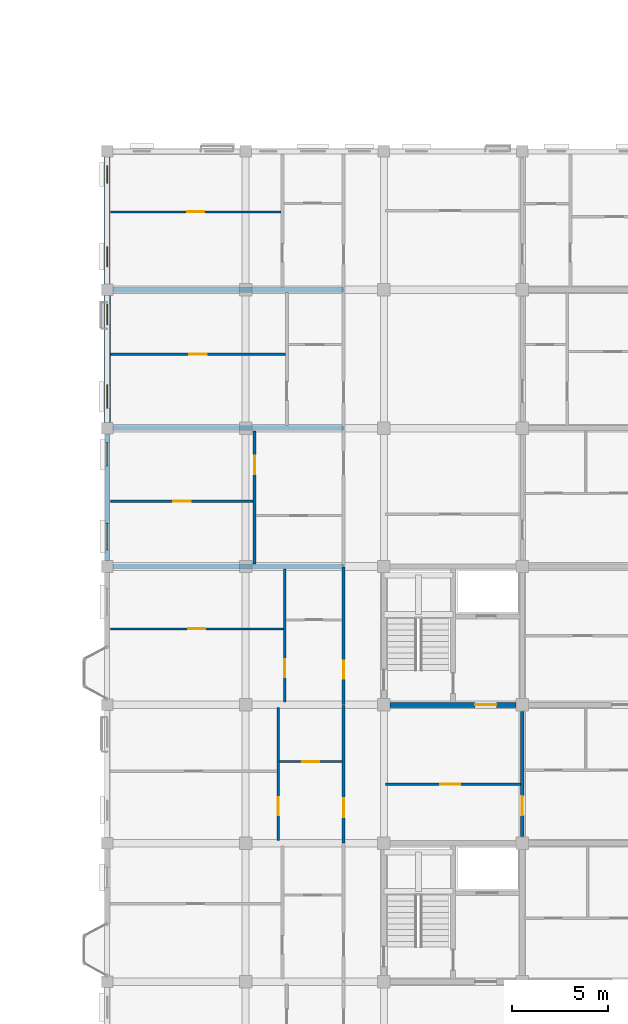
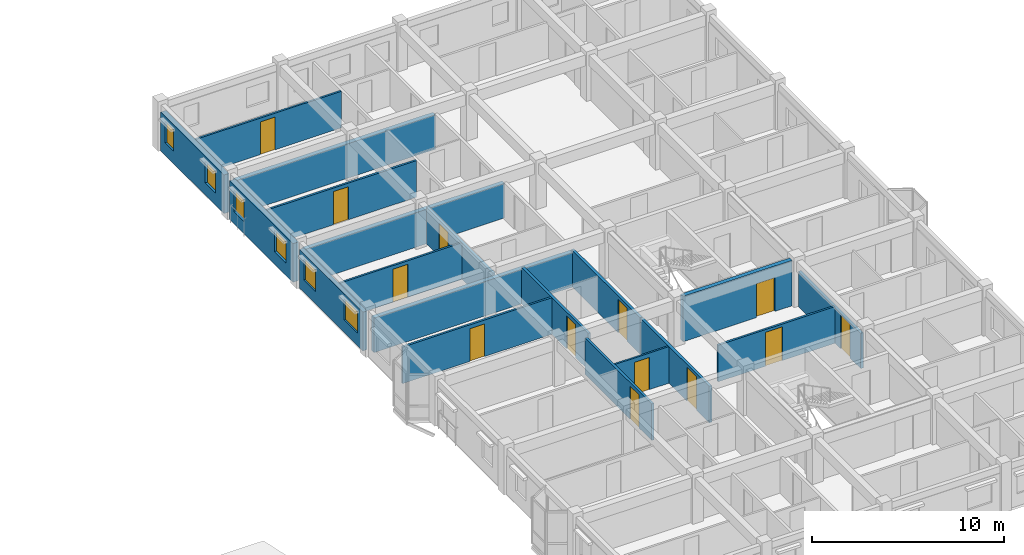
# One storey, part 102 of 124: 19 walls, 13 doors, 6 windows, 19 openings.
"""IFC4 building model written with IfcOpenShell, lengths in metres."""

from ifc_helpers import new_model, si_unit, direction, frame, frame_2d, origin, place, context, subcontext, project, spatial, rectangle, extrude, material, layer, layer_set, type_object, element, fill, save


model = new_model("IFC4")

# Units and contexts
model_context = context("Model", 3, precision=1e-05, world=origin(), true_north=direction((0.0, 1.0)))
body_context = subcontext(model_context, "Body", "Model", "MODEL_VIEW")
ifc_project = project(units=[si_unit("LENGTHUNIT", "METRE"), si_unit("AREAUNIT", "SQUARE_METRE"), si_unit("VOLUMEUNIT", "CUBIC_METRE"), si_unit("PLANEANGLEUNIT", "RADIAN"), si_unit("MASSUNIT", "GRAM", prefix="KILO"), si_unit("THERMODYNAMICTEMPERATUREUNIT", "KELVIN"), si_unit("POWERUNIT", "WATT")], contexts=[model_context])

# Site, building, storey
site_placement = place(None, origin())
site = spatial("IfcSite", under=ifc_project, at=site_placement, CompositionType="ELEMENT")
building_placement = place(site_placement, origin())
building = spatial("IfcBuilding", under=site, at=building_placement, Name="Tavuni Mirador Residences", CompositionType="ELEMENT")
storey_placement = place(building_placement, frame((0.0, 0.0, 7.64990234375)))
storey = spatial("IfcBuildingStorey", under=building, at=storey_placement, Name="L02", CompositionType="ELEMENT", Elevation=7.64990234375)

# Wall, opening, door
ifc_material_1 = material(Name="Precast concrete C40/50", Category="concrete")
ifc_layer_1 = layer(ifc_material_1, 0.25, Name="Precast concrete C40/50", Category="concrete")
ifc_layer_set_1 = layer_set([ifc_layer_1], Name="Precast concrete C40/50")
wall_type_1 = type_object("IfcWallType", Name="WT-COR250", PredefinedType="SHEAR", material=ifc_layer_set_1)
wall_1_placement = place(storey_placement, frame((104.72509765625, 108.0, 0.0), z_axis=(0.0, 0.0, 1.0), x_axis=(1.0, 0.0, 0.0)))
wall_1 = element("IfcWall", 1, at=wall_1_placement, inside=storey, type_object=wall_type_1, Name="CWALL-C8-L02-SS", PredefinedType="SHEAR", context=body_context, shape_type="SweptSolid", body=[
    extrude(rectangle(XDim=6.5498046875, YDim=0.25, at=frame_2d((3.27490234375, 0.0))), origin(), (0.0, 0.0, 1.0), 2.89013671875),
])
opening_1_placement = place(wall_1_placement, frame((4.425048828125, 0.0, 0.0)))
opening_1 = element("IfcOpeningElement", 2, at=opening_1_placement, cuts=wall_1, Name="Opening D-02", PredefinedType="OPENING", context=body_context, shape_type="SweptSolid", body=[
    extrude(rectangle(XDim=1.10009765625, YDim=2.14990234375, at=frame_2d((0.550048828125, 1.074951171875))), frame((0.0, 0.135009765625, 0.0), z_axis=(0.0, -1.0, 0.0), x_axis=(1.0, 0.0, 0.0)), (0.0, 0.0, 1.0), 0.27001953125),
])
ifc_material_2 = material(Name="Solid core iroko timber", Category="wood")
door_type_1 = type_object("IfcDoorType", Name="DT-LOB1100", OperationType="NOTDEFINED", PredefinedType="DOOR", material=ifc_material_2)
door_1_placement = place(opening_1_placement, frame((1.10009765625, 0.0, 0.0), z_axis=(0.0, 0.0, 1.0), x_axis=(-1.0, 0.0, 0.0)))
door_1 = element("IfcDoor", 3, at=door_1_placement, inside=storey, type_object=door_type_1, Name="DR-2322", OperationType="SINGLE_SWING_RIGHT", OverallHeight=2.14990234375, OverallWidth=1.10009765625, PredefinedType="DOOR", context=body_context, shape_type="SweptSolid", body=[
    extrude(rectangle(XDim=1.10009765625, YDim=2.14990234375, at=frame_2d((0.550048828125, 1.074951171875))), frame((0.0, 0.02490234375, 0.0), z_axis=(0.0, -1.0, 0.0), x_axis=(1.0, 0.0, 0.0)), (0.0, 0.0, 1.0), 0.050048828125),
])
fill(opening_1, door_1)

ifc_layer_2 = layer(ifc_material_1, 0.1650390625, Name="Precast concrete C40/50", Category="concrete")
ifc_layer_set_2 = layer_set([ifc_layer_2], Name="Precast concrete C40/50")
wall_type_2 = type_object("IfcWallType", Name="WT-CORR165", PredefinedType="PARTITIONING", material=ifc_layer_set_2)
wall_2_placement = place(storey_placement, frame((102.300048828125, 100.820068359375, 0.0), z_axis=(0.0, 0.0, 1.0), x_axis=(0.0, 1.0, 0.0)))
wall_2 = element("IfcWall", 4, at=wall_2_placement, inside=storey, type_object=wall_type_2, Name="CORW-BLK-D-L02-0-02", PredefinedType="PARTITIONING", context=body_context, shape_type="SweptSolid", body=[
    extrude(rectangle(XDim=7.159912109375, YDim=0.1650390625, at=frame_2d((3.580078125, 0.0))), origin(), (0.0, 0.0, 1.0), 2.3251953125),
])
opening_2_placement = place(wall_2_placement, frame((1.330078125, 0.0, 0.0)))
opening_2 = element("IfcOpeningElement", 5, at=opening_2_placement, cuts=wall_2, Name="Opening D-03", PredefinedType="OPENING", context=body_context, shape_type="SweptSolid", body=[
    extrude(rectangle(XDim=1.0, YDim=2.14990234375, at=frame_2d((0.5, 1.074951171875))), frame((0.0, 0.092529296875, 0.0), z_axis=(0.0, -1.0, 0.0), x_axis=(1.0, 0.0, 0.0)), (0.0, 0.0, 1.0), 0.18505859375),
])
door_type_2 = type_object("IfcDoorType", Name="DT-FD60-1000", OperationType="NOTDEFINED", PredefinedType="DOOR", material=ifc_material_2)
door_2_placement = place(opening_2_placement, origin())
door_2 = element("IfcDoor", 6, at=door_2_placement, inside=storey, type_object=door_type_2, Name="DR-2835", OperationType="SINGLE_SWING_RIGHT", OverallHeight=2.14990234375, OverallWidth=1.0, PredefinedType="DOOR", context=body_context, shape_type="SweptSolid", body=[
    extrude(rectangle(XDim=1.0, YDim=2.14990234375, at=frame_2d((0.5, 1.074951171875))), frame((0.0, 0.02490234375, 0.0), z_axis=(0.0, -1.0, 0.0), x_axis=(1.0, 0.0, 0.0)), (0.0, 0.0, 1.0), 0.050048828125),
])
fill(opening_2, door_2)

wall_3_placement = place(storey_placement, frame((102.300048828125, 108.02001953125, 0.0), z_axis=(0.0, 0.0, 1.0), x_axis=(0.0, 1.0, 0.0)))
wall_3 = element("IfcWall", 7, at=wall_3_placement, inside=storey, type_object=wall_type_2, Name="CORW-BLK-D-L02-0-03", PredefinedType="PARTITIONING", context=body_context, shape_type="SweptSolid", body=[
    extrude(rectangle(XDim=7.159912109375, YDim=0.1650390625, at=frame_2d((3.580078125, 0.0))), origin(), (0.0, 0.0, 1.0), 2.3251953125),
])
opening_3_placement = place(wall_3_placement, frame((1.330078125, 0.0, 0.0)))
opening_3 = element("IfcOpeningElement", 8, at=opening_3_placement, cuts=wall_3, Name="Opening D-19", PredefinedType="OPENING", context=body_context, shape_type="SweptSolid", body=[
    extrude(rectangle(XDim=0.93994140625, YDim=2.1201171875, at=frame_2d((0.469970703125, 1.06005859375))), frame((0.0, 0.092529296875, 0.0), z_axis=(0.0, -1.0, 0.0), x_axis=(1.0, 0.0, 0.0)), (0.0, 0.0, 1.0), 0.18505859375),
])
door_type_3 = type_object("IfcDoorType", Name="DT-FD60-940", OperationType="NOTDEFINED", PredefinedType="DOOR", material=ifc_material_2)
door_3_placement = place(opening_3_placement, origin())
door_3 = element("IfcDoor", 9, at=door_3_placement, inside=storey, type_object=door_type_3, Name="DR-2836", OperationType="SINGLE_SWING_LEFT", OverallHeight=2.1201171875, OverallWidth=0.93994140625, PredefinedType="DOOR", context=body_context, shape_type="SweptSolid", body=[
    extrude(rectangle(XDim=0.93994140625, YDim=2.1201171875, at=frame_2d((0.469970703125, 1.06005859375))), frame((0.0, 0.02490234375, 0.0), z_axis=(0.0, -1.0, 0.0), x_axis=(1.0, 0.0, 0.0)), (0.0, 0.0, 1.0), 0.050048828125),
])
fill(opening_3, door_3)

wall_4_placement = place(storey_placement, frame((111.60009765625, 101.14990234375, 0.0), z_axis=(0.0, 0.0, 1.0), x_axis=(0.0, 1.0, 0.0)))
wall_4 = element("IfcWall", 10, at=wall_4_placement, inside=storey, type_object=wall_type_2, Name="CORW-BLK-D-L02-1-02", PredefinedType="PARTITIONING", context=body_context, shape_type="SweptSolid", body=[
    extrude(rectangle(XDim=6.5, YDim=0.1650390625, at=frame_2d((3.25, 0.0))), origin(), (0.0, 0.0, 1.0), 2.239990234375),
])
opening_4_placement = place(wall_4_placement, frame((1.10009765625, 0.0, 0.0)))
opening_4 = element("IfcOpeningElement", 11, at=opening_4_placement, cuts=wall_4, Name="Opening D-03", PredefinedType="OPENING", context=body_context, shape_type="SweptSolid", body=[
    extrude(rectangle(XDim=1.0, YDim=2.14990234375, at=frame_2d((0.5, 1.074951171875))), frame((0.0, 0.092529296875, 0.0), z_axis=(0.0, -1.0, 0.0), x_axis=(1.0, 0.0, 0.0)), (0.0, 0.0, 1.0), 0.18505859375),
])
door_4_placement = place(opening_4_placement, origin())
door_4 = element("IfcDoor", 12, at=door_4_placement, inside=storey, type_object=door_type_2, Name="DR-2841", OperationType="SINGLE_SWING_RIGHT", OverallHeight=2.14990234375, OverallWidth=1.0, PredefinedType="DOOR", context=body_context, shape_type="SweptSolid", body=[
    extrude(rectangle(XDim=1.0, YDim=2.14990234375, at=frame_2d((0.5, 1.074951171875))), frame((0.0, 0.02490234375, 0.0), z_axis=(0.0, -1.0, 0.0), x_axis=(1.0, 0.0, 0.0)), (0.0, 0.0, 1.0), 0.050048828125),
])
fill(opening_4, door_4)

# Wall, openings, windows
ifc_layer_3 = layer(ifc_material_1, 0.330078125, Name="Precast concrete C40/50", Category="concrete")
ifc_layer_set_3 = layer_set([ifc_layer_3], Name="Precast concrete C40/50")
wall_type_3 = type_object("IfcWallType", Name="WT-EXT-COR330", PredefinedType="SOLIDWALL", material=ifc_layer_set_3)
wall_5_placement = place(storey_placement, frame((90.0, 129.300048828125, 0.0), z_axis=(0.0, 0.0, 1.0), x_axis=(0.0, -1.0, 0.0)))
wall_5 = element("IfcWall", 13, at=wall_5_placement, inside=storey, type_object=wall_type_3, Name="EW-BLK-D-L02-W05", PredefinedType="SOLIDWALL", context=body_context, shape_type="SweptSolid", body=[
    extrude(rectangle(XDim=6.60009765625, YDim=0.330078125, at=frame_2d((3.300048828125, 0.0))), origin(), (0.0, 0.0, 1.0), 2.460205078125),
])
opening_5_placement = place(wall_5_placement, frame((0.449951171875, 0.0, 0.780029296875)))
opening_5 = element("IfcOpeningElement", 14, at=opening_5_placement, cuts=wall_5, Name="Opening WN-19", PredefinedType="OPENING", context=body_context, shape_type="SweptSolid", body=[
    extrude(rectangle(XDim=1.06005859375, YDim=1.360107421875, at=frame_2d((0.530029296875, 0.68017578125))), frame((0.0, 0.175048828125, 0.0), z_axis=(0.0, -1.0, 0.0), x_axis=(1.0, 0.0, 0.0)), (0.0, 0.0, 1.0), 0.35009765625),
])
opening_6_placement = place(wall_5_placement, frame((4.64990234375, 0.0, 0.780029296875)))
opening_6 = element("IfcOpeningElement", 15, at=opening_6_placement, cuts=wall_5, Name="Opening WN-21", PredefinedType="OPENING", context=body_context, shape_type="SweptSolid", body=[
    extrude(rectangle(XDim=1.219970703125, YDim=1.360107421875, at=frame_2d((0.60986328125, 0.68017578125))), frame((0.0, 0.175048828125, 0.0), z_axis=(0.0, -1.0, 0.0), x_axis=(1.0, 0.0, 0.0)), (0.0, 0.0, 1.0), 0.35009765625),
])
ifc_material_3 = material(Name="Laminated solar-control glass", Category="glass")
window_type_1 = type_object("IfcWindowType", Name="WNT-19", PartitioningType="SINGLE_PANEL", PredefinedType="WINDOW", material=ifc_material_3)
window_1_placement = place(opening_5_placement, origin())
window_1 = element("IfcWindow", 16, at=window_1_placement, inside=storey, type_object=window_type_1, Name="WIN-1516", OverallHeight=1.360107421875, OverallWidth=1.06005859375, PartitioningType="SINGLE_PANEL", PredefinedType="WINDOW", context=body_context, shape_type="SweptSolid", body=[
    extrude(rectangle(XDim=1.06005859375, YDim=1.360107421875, at=frame_2d((0.530029296875, 0.68017578125))), frame((0.0, 0.030029296875, 0.0), z_axis=(0.0, -1.0, 0.0), x_axis=(1.0, 0.0, 0.0)), (0.0, 0.0, 1.0), 0.06005859375),
])
fill(opening_5, window_1)
window_type_2 = type_object("IfcWindowType", Name="WNT-21", PartitioningType="SINGLE_PANEL", PredefinedType="WINDOW", material=ifc_material_3)
window_2_placement = place(opening_6_placement, origin())
window_2 = element("IfcWindow", 17, at=window_2_placement, inside=storey, type_object=window_type_2, Name="WIN-1517", OverallHeight=1.360107421875, OverallWidth=1.219970703125, PartitioningType="SINGLE_PANEL", PredefinedType="WINDOW", context=body_context, shape_type="SweptSolid", body=[
    extrude(rectangle(XDim=1.219970703125, YDim=1.360107421875, at=frame_2d((0.60986328125, 0.68017578125))), frame((0.0, 0.030029296875, 0.0), z_axis=(0.0, -1.0, 0.0), x_axis=(1.0, 0.0, 0.0)), (0.0, 0.0, 1.0), 0.06005859375),
])
fill(opening_6, window_2)

ifc_material_4 = material(Name="Sgraffito lime-rendered precast concrete C40/50", Category="concrete")
ifc_layer_4 = layer(ifc_material_4, 0.2451171875, Name="Sgraffito lime-rendered precast concrete C40/50", Category="concrete")
ifc_layer_set_4 = layer_set([ifc_layer_4], Name="Sgraffito lime-rendered precast concrete C40/50")
wall_type_4 = type_object("IfcWallType", Name="WT-EXT-PC245", PredefinedType="SOLIDWALL", material=ifc_layer_set_4)
wall_6_placement = place(storey_placement, frame((90.0, 122.10009765625, 0.0), z_axis=(0.0, 0.0, 1.0), x_axis=(0.0, -1.0, 0.0)))
wall_6 = element("IfcWall", 18, at=wall_6_placement, inside=storey, type_object=wall_type_4, Name="EW-BLK-D-L02-W04", PredefinedType="SOLIDWALL", context=body_context, shape_type="SweptSolid", body=[
    extrude(rectangle(XDim=6.60009765625, YDim=0.2451171875, at=frame_2d((3.300048828125, 0.0))), origin(), (0.0, 0.0, 1.0), 2.460205078125),
])
opening_7_placement = place(wall_6_placement, frame((0.449951171875, 0.0, 0.780029296875)))
opening_7 = element("IfcOpeningElement", 19, at=opening_7_placement, cuts=wall_6, Name="Opening WN-21", PredefinedType="OPENING", context=body_context, shape_type="SweptSolid", body=[
    extrude(rectangle(XDim=1.219970703125, YDim=1.360107421875, at=frame_2d((0.60986328125, 0.68017578125))), frame((0.0, 0.132568359375, 0.0), z_axis=(0.0, -1.0, 0.0), x_axis=(1.0, 0.0, 0.0)), (0.0, 0.0, 1.0), 0.26513671875),
])
opening_8_placement = place(wall_6_placement, frame((4.64990234375, 0.0, 0.780029296875)))
opening_8 = element("IfcOpeningElement", 20, at=opening_8_placement, cuts=wall_6, Name="Opening WN-23", PredefinedType="OPENING", context=body_context, shape_type="SweptSolid", body=[
    extrude(rectangle(XDim=1.3798828125, YDim=1.360107421875, at=frame_2d((0.68994140625, 0.68017578125))), frame((0.0, 0.132568359375, 0.0), z_axis=(0.0, -1.0, 0.0), x_axis=(1.0, 0.0, 0.0)), (0.0, 0.0, 1.0), 0.26513671875),
])
window_3_placement = place(opening_7_placement, origin())
window_3 = element("IfcWindow", 21, at=window_3_placement, inside=storey, type_object=window_type_2, Name="WIN-1518", OverallHeight=1.360107421875, OverallWidth=1.219970703125, PartitioningType="SINGLE_PANEL", PredefinedType="WINDOW", context=body_context, shape_type="SweptSolid", body=[
    extrude(rectangle(XDim=1.219970703125, YDim=1.360107421875, at=frame_2d((0.60986328125, 0.68017578125))), frame((0.0, 0.030029296875, 0.0), z_axis=(0.0, -1.0, 0.0), x_axis=(1.0, 0.0, 0.0)), (0.0, 0.0, 1.0), 0.06005859375),
])
fill(opening_7, window_3)
window_type_3 = type_object("IfcWindowType", Name="WNT-23", PartitioningType="SINGLE_PANEL", PredefinedType="WINDOW", material=ifc_material_3)
window_4_placement = place(opening_8_placement, origin())
window_4 = element("IfcWindow", 22, at=window_4_placement, inside=storey, type_object=window_type_3, Name="WIN-1519", OverallHeight=1.360107421875, OverallWidth=1.3798828125, PartitioningType="SINGLE_PANEL", PredefinedType="WINDOW", context=body_context, shape_type="SweptSolid", body=[
    extrude(rectangle(XDim=1.3798828125, YDim=1.360107421875, at=frame_2d((0.68994140625, 0.68017578125))), frame((0.0, 0.030029296875, 0.0), z_axis=(0.0, -1.0, 0.0), x_axis=(1.0, 0.0, 0.0)), (0.0, 0.0, 1.0), 0.06005859375),
])
fill(opening_8, window_4)

ifc_layer_5 = layer(ifc_material_4, 0.31494140625, Name="Sgraffito lime-rendered precast concrete C40/50", Category="concrete")
ifc_layer_set_5 = layer_set([ifc_layer_5], Name="Sgraffito lime-rendered precast concrete C40/50")
wall_type_5 = type_object("IfcWallType", Name="WT-EXT-PC315", PredefinedType="SOLIDWALL", material=ifc_layer_set_5)
wall_7_placement = place(storey_placement, frame((90.0, 136.5, 0.0), z_axis=(0.0, 0.0, 1.0), x_axis=(0.0, -1.0, 0.0)))
wall_7 = element("IfcWall", 23, at=wall_7_placement, inside=storey, type_object=wall_type_5, Name="EW-BLK-D-L02-W06", PredefinedType="SOLIDWALL", context=body_context, shape_type="SweptSolid", body=[
    extrude(rectangle(XDim=6.60009765625, YDim=0.31494140625, at=frame_2d((3.300048828125, 0.0))), origin(), (0.0, 0.0, 1.0), 2.460205078125),
])
opening_9_placement = place(wall_7_placement, frame((0.449951171875, 0.0, 0.780029296875)))
opening_9 = element("IfcOpeningElement", 24, at=opening_9_placement, cuts=wall_7, Name="Opening WN-17", PredefinedType="OPENING", context=body_context, shape_type="SweptSolid", body=[
    extrude(rectangle(XDim=0.89990234375, YDim=1.360107421875, at=frame_2d((0.449951171875, 0.68017578125))), frame((0.0, 0.16748046875, 0.0), z_axis=(0.0, -1.0, 0.0), x_axis=(1.0, 0.0, 0.0)), (0.0, 0.0, 1.0), 0.3349609375),
])
opening_10_placement = place(wall_7_placement, frame((4.64990234375, 0.0, 0.780029296875)))
opening_10 = element("IfcOpeningElement", 25, at=opening_10_placement, cuts=wall_7, Name="Opening WN-19", PredefinedType="OPENING", context=body_context, shape_type="SweptSolid", body=[
    extrude(rectangle(XDim=1.06005859375, YDim=1.360107421875, at=frame_2d((0.530029296875, 0.68017578125))), frame((0.0, 0.16748046875, 0.0), z_axis=(0.0, -1.0, 0.0), x_axis=(1.0, 0.0, 0.0)), (0.0, 0.0, 1.0), 0.3349609375),
])
window_type_4 = type_object("IfcWindowType", Name="WNT-17", PartitioningType="SINGLE_PANEL", PredefinedType="WINDOW", material=ifc_material_3)
window_5_placement = place(opening_9_placement, origin())
window_5 = element("IfcWindow", 26, at=window_5_placement, inside=storey, type_object=window_type_4, Name="WIN-1514", OverallHeight=1.360107421875, OverallWidth=0.89990234375, PartitioningType="SINGLE_PANEL", PredefinedType="WINDOW", context=body_context, shape_type="SweptSolid", body=[
    extrude(rectangle(XDim=0.89990234375, YDim=1.360107421875, at=frame_2d((0.449951171875, 0.68017578125))), frame((0.0, 0.030029296875, 0.0), z_axis=(0.0, -1.0, 0.0), x_axis=(1.0, 0.0, 0.0)), (0.0, 0.0, 1.0), 0.06005859375),
])
fill(opening_9, window_5)
window_6_placement = place(opening_10_placement, origin())
window_6 = element("IfcWindow", 27, at=window_6_placement, inside=storey, type_object=window_type_1, Name="WIN-1515", OverallHeight=1.360107421875, OverallWidth=1.06005859375, PartitioningType="SINGLE_PANEL", PredefinedType="WINDOW", context=body_context, shape_type="SweptSolid", body=[
    extrude(rectangle(XDim=1.06005859375, YDim=1.360107421875, at=frame_2d((0.530029296875, 0.68017578125))), frame((0.0, 0.030029296875, 0.0), z_axis=(0.0, -1.0, 0.0), x_axis=(1.0, 0.0, 0.0)), (0.0, 0.0, 1.0), 0.06005859375),
])
fill(opening_10, window_6)

# Wall, opening, door
ifc_material_5 = material(Name="Acoustic gypsum and concrete block partition", Category="concrete")
ifc_layer_6 = layer(ifc_material_5, 0.10498046875, Name="Acoustic gypsum and concrete block partition", Category="concrete")
ifc_layer_set_6 = layer_set([ifc_layer_6], Name="Acoustic gypsum and concrete block partition")
wall_type_6 = type_object("IfcWallType", Name="WT-PART105", PredefinedType="PARTITIONING", material=ifc_layer_set_6)
wall_8_placement = place(storey_placement, frame((98.969970703125, 105.050048828125, 0.0), z_axis=(0.0, 0.0, 1.0), x_axis=(1.0, 0.0, 0.0)))
wall_8 = element("IfcWall", 28, at=wall_8_placement, inside=storey, type_object=wall_type_6, Name="PW-BLK-D-L02-W02-IN1", PredefinedType="PARTITIONING", context=body_context, shape_type="SweptSolid", body=[
    extrude(rectangle(XDim=3.239990234375, YDim=0.10498046875, at=frame_2d((1.6201171875, 0.0))), origin(), (0.0, 0.0, 1.0), 2.3251953125),
])
opening_11_placement = place(wall_8_placement, frame((1.169921875, 0.0, 0.0)))
opening_11 = element("IfcOpeningElement", 29, at=opening_11_placement, cuts=wall_8, Name="Opening D-09", PredefinedType="OPENING", context=body_context, shape_type="SweptSolid", body=[
    extrude(rectangle(XDim=0.89990234375, YDim=2.050048828125, at=frame_2d((0.449951171875, 1.02490234375))), frame((0.0, 0.0625, 0.0), z_axis=(0.0, -1.0, 0.0), x_axis=(1.0, 0.0, 0.0)), (0.0, 0.0, 1.0), 0.125),
])
door_type_4 = type_object("IfcDoorType", Name="DT-WC900", OperationType="NOTDEFINED", PredefinedType="DOOR", material=ifc_material_2)
door_5_placement = place(opening_11_placement, origin())
door_5 = element("IfcDoor", 30, at=door_5_placement, inside=storey, type_object=door_type_4, Name="DR-4365", OperationType="SINGLE_SWING_RIGHT", OverallHeight=2.050048828125, OverallWidth=0.89990234375, PredefinedType="DOOR", context=body_context, shape_type="SweptSolid", body=[
    extrude(rectangle(XDim=0.89990234375, YDim=2.050048828125, at=frame_2d((0.449951171875, 1.02490234375))), frame((0.0, 0.02490234375, 0.0), z_axis=(0.0, -1.0, 0.0), x_axis=(1.0, 0.0, 0.0)), (0.0, 0.0, 1.0), 0.050048828125),
])
fill(opening_11, door_5)

ifc_layer_7 = layer(ifc_material_5, 0.114990234375, Name="Acoustic gypsum and concrete block partition", Category="concrete")
ifc_layer_set_7 = layer_set([ifc_layer_7], Name="Acoustic gypsum and concrete block partition")
wall_type_7 = type_object("IfcWallType", Name="WT-PART115", PredefinedType="PARTITIONING", material=ifc_layer_set_7)
wall_9_placement = place(storey_placement, frame((90.175048828125, 118.60009765625, 0.0), z_axis=(0.0, 0.0, 1.0), x_axis=(1.0, 0.0, 0.0)))
wall_9 = element("IfcWall", 31, at=wall_9_placement, inside=storey, type_object=wall_type_7, Name="PW-BLK-D-L02-W04-OUT", PredefinedType="PARTITIONING", context=body_context, shape_type="SweptSolid", body=[
    extrude(rectangle(XDim=7.425048828125, YDim=0.114990234375, at=frame_2d((3.71240234375, 0.0))), origin(), (0.0, 0.0, 1.0), 2.3251953125),
])
opening_12_placement = place(wall_9_placement, frame((3.262451171875, 0.0, 0.0)))
opening_12 = element("IfcOpeningElement", 32, at=opening_12_placement, cuts=wall_9, Name="Opening D-07", PredefinedType="OPENING", context=body_context, shape_type="SweptSolid", body=[
    extrude(rectangle(XDim=0.89990234375, YDim=2.10009765625, at=frame_2d((0.449951171875, 1.050048828125))), frame((0.0, 0.0673828125, 0.0), z_axis=(0.0, -1.0, 0.0), x_axis=(1.0, 0.0, 0.0)), (0.0, 0.0, 1.0), 0.135009765625),
])
door_type_5 = type_object("IfcDoorType", Name="DT-BED900", OperationType="NOTDEFINED", PredefinedType="DOOR", material=ifc_material_2)
door_6_placement = place(opening_12_placement, origin())
door_6 = element("IfcDoor", 33, at=door_6_placement, inside=storey, type_object=door_type_5, Name="DR-4374", OperationType="SINGLE_SWING_LEFT", OverallHeight=2.10009765625, OverallWidth=0.89990234375, PredefinedType="DOOR", context=body_context, shape_type="SweptSolid", body=[
    extrude(rectangle(XDim=0.89990234375, YDim=2.10009765625, at=frame_2d((0.449951171875, 1.050048828125))), frame((0.0, 0.02490234375, 0.0), z_axis=(0.0, -1.0, 0.0), x_axis=(1.0, 0.0, 0.0)), (0.0, 0.0, 1.0), 0.050048828125),
])
fill(opening_12, door_6)

wall_10_placement = place(storey_placement, frame((90.175048828125, 133.64990234375, 0.0), z_axis=(0.0, 0.0, 1.0), x_axis=(1.0, 0.0, 0.0)))
wall_10 = element("IfcWall", 34, at=wall_10_placement, inside=storey, type_object=wall_type_7, Name="PW-BLK-D-L02-W06-OUT", PredefinedType="PARTITIONING", context=body_context, shape_type="SweptSolid", body=[
    extrude(rectangle(XDim=8.875, YDim=0.114990234375, at=frame_2d((4.4375, 0.0))), origin(), (0.0, 0.0, 1.0), 2.3251953125),
])
opening_13_placement = place(wall_10_placement, frame((3.99755859375, 0.0, 0.0)))
opening_13 = element("IfcOpeningElement", 35, at=opening_13_placement, cuts=wall_10, Name="Opening D-08", PredefinedType="OPENING", context=body_context, shape_type="SweptSolid", body=[
    extrude(rectangle(XDim=0.8798828125, YDim=2.080078125, at=frame_2d((0.43994140625, 1.0400390625))), frame((0.0, 0.0673828125, 0.0), z_axis=(0.0, -1.0, 0.0), x_axis=(1.0, 0.0, 0.0)), (0.0, 0.0, 1.0), 0.135009765625),
])
door_type_6 = type_object("IfcDoorType", Name="DT-BED880", OperationType="NOTDEFINED", PredefinedType="DOOR", material=ifc_material_2)
door_7_placement = place(opening_13_placement, origin())
door_7 = element("IfcDoor", 36, at=door_7_placement, inside=storey, type_object=door_type_6, Name="DR-4386", OperationType="SINGLE_SWING_RIGHT", OverallHeight=2.080078125, OverallWidth=0.8798828125, PredefinedType="DOOR", context=body_context, shape_type="SweptSolid", body=[
    extrude(rectangle(XDim=0.8798828125, YDim=2.080078125, at=frame_2d((0.43994140625, 1.0400390625))), frame((0.0, 0.02490234375, 0.0), z_axis=(0.0, -1.0, 0.0), x_axis=(1.0, 0.0, 0.0)), (0.0, 0.0, 1.0), 0.050048828125),
])
fill(opening_13, door_7)

ifc_layer_8 = layer(ifc_material_5, 0.125, Name="Acoustic gypsum and concrete block partition", Category="concrete")
ifc_layer_set_8 = layer_set([ifc_layer_8], Name="Acoustic gypsum and concrete block partition")
wall_type_8 = type_object("IfcWallType", Name="WT-PART125", PredefinedType="PARTITIONING", material=ifc_layer_set_8)
wall_11_placement = place(storey_placement, frame((104.489990234375, 103.8798828125, 0.0), z_axis=(0.0, 0.0, 1.0), x_axis=(1.0, 0.0, 0.0)))
wall_11 = element("IfcWall", 37, at=wall_11_placement, inside=storey, type_object=wall_type_8, Name="PW-SPN-BLK-D-L02-02", PredefinedType="PARTITIONING", context=body_context, shape_type="SweptSolid", body=[
    extrude(rectangle(XDim=7.02001953125, YDim=0.125, at=frame_2d((3.510009765625, 0.0))), origin(), (0.0, 0.0, 1.0), 2.3251953125),
])
opening_14_placement = place(wall_11_placement, frame((2.85009765625, 0.0, 0.0)))
opening_14 = element("IfcOpeningElement", 38, at=opening_14_placement, cuts=wall_11, Name="Opening D-13", PredefinedType="OPENING", context=body_context, shape_type="SweptSolid", body=[
    extrude(rectangle(XDim=1.02001953125, YDim=2.14990234375, at=frame_2d((0.510009765625, 1.074951171875))), frame((0.0, 0.072509765625, 0.0), z_axis=(0.0, -1.0, 0.0), x_axis=(1.0, 0.0, 0.0)), (0.0, 0.0, 1.0), 0.14501953125),
])
door_type_7 = type_object("IfcDoorType", Name="DT-MTG1020", OperationType="NOTDEFINED", PredefinedType="DOOR", material=ifc_material_2)
door_8_placement = place(opening_14_placement, origin())
door_8 = element("IfcDoor", 39, at=door_8_placement, inside=storey, type_object=door_type_7, Name="DR-4363", OperationType="SINGLE_SWING_LEFT", OverallHeight=2.14990234375, OverallWidth=1.02001953125, PredefinedType="DOOR", context=body_context, shape_type="SweptSolid", body=[
    extrude(rectangle(XDim=1.02001953125, YDim=2.14990234375, at=frame_2d((0.510009765625, 1.074951171875))), frame((0.0, 0.02490234375, 0.0), z_axis=(0.0, -1.0, 0.0), x_axis=(1.0, 0.0, 0.0)), (0.0, 0.0, 1.0), 0.050048828125),
])
fill(opening_14, door_8)

wall_12_placement = place(storey_placement, frame((90.175048828125, 111.949951171875, 0.0), z_axis=(0.0, 0.0, 1.0), x_axis=(1.0, 0.0, 0.0)))
wall_12 = element("IfcWall", 40, at=wall_12_placement, inside=storey, type_object=wall_type_8, Name="PW-BLK-D-L02-W03-OUT", PredefinedType="PARTITIONING", context=body_context, shape_type="SweptSolid", body=[
    extrude(rectangle(XDim=8.994873046875, YDim=0.125, at=frame_2d((4.49755859375, 0.0))), origin(), (0.0, 0.0, 1.0), 2.3251953125),
])
opening_15_placement = place(wall_12_placement, frame((4.0576171875, 0.0, 0.0)))
opening_15 = element("IfcOpeningElement", 41, at=opening_15_placement, cuts=wall_12, Name="Opening D-08", PredefinedType="OPENING", context=body_context, shape_type="SweptSolid", body=[
    extrude(rectangle(XDim=0.8798828125, YDim=2.080078125, at=frame_2d((0.43994140625, 1.0400390625))), frame((0.0, 0.072509765625, 0.0), z_axis=(0.0, -1.0, 0.0), x_axis=(1.0, 0.0, 0.0)), (0.0, 0.0, 1.0), 0.14501953125),
])
door_9_placement = place(opening_15_placement, origin())
door_9 = element("IfcDoor", 42, at=door_9_placement, inside=storey, type_object=door_type_6, Name="DR-4369", OperationType="SINGLE_SWING_RIGHT", OverallHeight=2.080078125, OverallWidth=0.8798828125, PredefinedType="DOOR", context=body_context, shape_type="SweptSolid", body=[
    extrude(rectangle(XDim=0.8798828125, YDim=2.080078125, at=frame_2d((0.43994140625, 1.0400390625))), frame((0.0, 0.02490234375, 0.0), z_axis=(0.0, -1.0, 0.0), x_axis=(1.0, 0.0, 0.0)), (0.0, 0.0, 1.0), 0.050048828125),
])
fill(opening_15, door_9)

wall_13_placement = place(storey_placement, frame((90.175048828125, 126.25, 0.0), z_axis=(0.0, 0.0, 1.0), x_axis=(1.0, 0.0, 0.0)))
wall_13 = element("IfcWall", 43, at=wall_13_placement, inside=storey, type_object=wall_type_8, Name="PW-BLK-D-L02-W05-OUT", PredefinedType="PARTITIONING", context=body_context, shape_type="SweptSolid", body=[
    extrude(rectangle(XDim=9.10498046875, YDim=0.125, at=frame_2d((4.552490234375, 0.0))), origin(), (0.0, 0.0, 1.0), 2.3251953125),
])
opening_16_placement = place(wall_13_placement, frame((4.1025390625, 0.0, 0.0)))
opening_16 = element("IfcOpeningElement", 44, at=opening_16_placement, cuts=wall_13, Name="Opening D-07", PredefinedType="OPENING", context=body_context, shape_type="SweptSolid", body=[
    extrude(rectangle(XDim=0.89990234375, YDim=2.10009765625, at=frame_2d((0.449951171875, 1.050048828125))), frame((0.0, 0.072509765625, 0.0), z_axis=(0.0, -1.0, 0.0), x_axis=(1.0, 0.0, 0.0)), (0.0, 0.0, 1.0), 0.14501953125),
])
door_10_placement = place(opening_16_placement, origin())
door_10 = element("IfcDoor", 45, at=door_10_placement, inside=storey, type_object=door_type_5, Name="DR-4379", OperationType="SINGLE_SWING_LEFT", OverallHeight=2.10009765625, OverallWidth=0.89990234375, PredefinedType="DOOR", context=body_context, shape_type="SweptSolid", body=[
    extrude(rectangle(XDim=0.89990234375, YDim=2.10009765625, at=frame_2d((0.449951171875, 1.050048828125))), frame((0.0, 0.02490234375, 0.0), z_axis=(0.0, -1.0, 0.0), x_axis=(1.0, 0.0, 0.0)), (0.0, 0.0, 1.0), 0.050048828125),
])
fill(opening_16, door_10)

ifc_layer_9 = layer(ifc_material_5, 0.139892578125, Name="Acoustic gypsum and concrete block partition", Category="concrete")
ifc_layer_set_9 = layer_set([ifc_layer_9], Name="Acoustic gypsum and concrete block partition")
wall_type_9 = type_object("IfcWallType", Name="WT-PART140", PredefinedType="PARTITIONING", material=ifc_layer_set_9)
wall_14_placement = place(storey_placement, frame((98.89990234375, 100.93994140625, 0.0), z_axis=(0.0, 0.0, 1.0), x_axis=(0.0, 1.0, 0.0)))
wall_14 = element("IfcWall", 46, at=wall_14_placement, inside=storey, type_object=wall_type_9, Name="PW-BLK-D-L02-W02-MID", PredefinedType="PARTITIONING", context=body_context, shape_type="SweptSolid", body=[
    extrude(rectangle(XDim=6.920166015625, YDim=0.139892578125, at=frame_2d((3.4599609375, 0.0))), origin(), (0.0, 0.0, 1.0), 2.3251953125),
])
opening_17_placement = place(wall_14_placement, frame((1.31005859375, 0.0, 0.0)))
opening_17 = element("IfcOpeningElement", 47, at=opening_17_placement, cuts=wall_14, Name="Opening D-05", PredefinedType="OPENING", context=body_context, shape_type="SweptSolid", body=[
    extrude(rectangle(XDim=0.949951171875, YDim=2.10009765625, at=frame_2d((0.47509765625, 1.050048828125))), frame((0.0, 0.080078125, 0.0), z_axis=(0.0, -1.0, 0.0), x_axis=(1.0, 0.0, 0.0)), (0.0, 0.0, 1.0), 0.159912109375),
])
door_type_8 = type_object("IfcDoorType", Name="DT-INT950", OperationType="NOTDEFINED", PredefinedType="DOOR", material=ifc_material_2)
door_11_placement = place(opening_17_placement, origin())
door_11 = element("IfcDoor", 48, at=door_11_placement, inside=storey, type_object=door_type_8, Name="DR-4366", OperationType="SINGLE_SWING_LEFT", OverallHeight=2.10009765625, OverallWidth=0.949951171875, PredefinedType="DOOR", context=body_context, shape_type="SweptSolid", body=[
    extrude(rectangle(XDim=0.949951171875, YDim=2.10009765625, at=frame_2d((0.47509765625, 1.050048828125))), frame((0.0, 0.02490234375, 0.0), z_axis=(0.0, -1.0, 0.0), x_axis=(1.0, 0.0, 0.0)), (0.0, 0.0, 1.0), 0.050048828125),
])
fill(opening_17, door_11)

wall_15_placement = place(storey_placement, frame((97.669921875, 115.340087890625, 0.0), z_axis=(0.0, 0.0, 1.0), x_axis=(0.0, 1.0, 0.0)))
wall_15 = element("IfcWall", 49, at=wall_15_placement, inside=storey, type_object=wall_type_9, Name="PW-BLK-D-L02-W04-MID", PredefinedType="PARTITIONING", context=body_context, shape_type="SweptSolid", body=[
    extrude(rectangle(XDim=6.919921875, YDim=0.139892578125, at=frame_2d((3.4599609375, 0.0))), origin(), (0.0, 0.0, 1.0), 2.3251953125),
])
opening_18_placement = place(wall_15_placement, frame((4.659912109375, 0.0, 0.0)))
opening_18 = element("IfcOpeningElement", 50, at=opening_18_placement, cuts=wall_15, Name="Opening D-05", PredefinedType="OPENING", context=body_context, shape_type="SweptSolid", body=[
    extrude(rectangle(XDim=0.949951171875, YDim=2.10009765625, at=frame_2d((0.47509765625, 1.050048828125))), frame((0.0, 0.080078125, 0.0), z_axis=(0.0, -1.0, 0.0), x_axis=(1.0, 0.0, 0.0)), (0.0, 0.0, 1.0), 0.159912109375),
])
door_12_placement = place(opening_18_placement, origin())
door_12 = element("IfcDoor", 51, at=door_12_placement, inside=storey, type_object=door_type_8, Name="DR-4376", OperationType="SINGLE_SWING_LEFT", OverallHeight=2.10009765625, OverallWidth=0.949951171875, PredefinedType="DOOR", context=body_context, shape_type="SweptSolid", body=[
    extrude(rectangle(XDim=0.949951171875, YDim=2.10009765625, at=frame_2d((0.47509765625, 1.050048828125))), frame((0.0, 0.02490234375, 0.0), z_axis=(0.0, -1.0, 0.0), x_axis=(1.0, 0.0, 0.0)), (0.0, 0.0, 1.0), 0.050048828125),
])
fill(opening_18, door_12)

ifc_layer_10 = layer(ifc_material_5, 0.14990234375, Name="Acoustic gypsum and concrete block partition", Category="concrete")
ifc_layer_set_10 = layer_set([ifc_layer_10], Name="Acoustic gypsum and concrete block partition")
wall_type_10 = type_object("IfcWallType", Name="WT-PART150", PredefinedType="PARTITIONING", material=ifc_layer_set_10)
wall_16_placement = place(storey_placement, frame((99.239990234375, 108.139892578125, 0.0), z_axis=(0.0, 0.0, 1.0), x_axis=(0.0, 1.0, 0.0)))
wall_16 = element("IfcWall", 52, at=wall_16_placement, inside=storey, type_object=wall_type_10, Name="PW-BLK-D-L02-W03-MID", PredefinedType="PARTITIONING", context=body_context, shape_type="SweptSolid", body=[
    extrude(rectangle(XDim=6.920166015625, YDim=0.14990234375, at=frame_2d((3.4599609375, 0.0))), origin(), (0.0, 0.0, 1.0), 2.3251953125),
])
opening_19_placement = place(wall_16_placement, frame((1.31005859375, 0.0, 0.0)))
opening_19 = element("IfcOpeningElement", 53, at=opening_19_placement, cuts=wall_16, Name="Opening D-06", PredefinedType="OPENING", context=body_context, shape_type="SweptSolid", body=[
    extrude(rectangle(XDim=0.919921875, YDim=2.10009765625, at=frame_2d((0.4599609375, 1.050048828125))), frame((0.0, 0.0849609375, 0.0), z_axis=(0.0, -1.0, 0.0), x_axis=(1.0, 0.0, 0.0)), (0.0, 0.0, 1.0), 0.169921875),
])
door_type_9 = type_object("IfcDoorType", Name="DT-INT920", OperationType="NOTDEFINED", PredefinedType="DOOR", material=ifc_material_2)
door_13_placement = place(opening_19_placement, origin())
door_13 = element("IfcDoor", 54, at=door_13_placement, inside=storey, type_object=door_type_9, Name="DR-4371", OperationType="SINGLE_SWING_RIGHT", OverallHeight=2.10009765625, OverallWidth=0.919921875, PredefinedType="DOOR", context=body_context, shape_type="SweptSolid", body=[
    extrude(rectangle(XDim=0.919921875, YDim=2.10009765625, at=frame_2d((0.4599609375, 1.050048828125))), frame((0.0, 0.02490234375, 0.0), z_axis=(0.0, -1.0, 0.0), x_axis=(1.0, 0.0, 0.0)), (0.0, 0.0, 1.0), 0.050048828125),
])
fill(opening_19, door_13)

# Walls
ifc_layer_11 = layer(ifc_material_1, 0.264892578125, Name="Precast concrete C40/50", Category="concrete")
ifc_layer_set_11 = layer_set([ifc_layer_11], Name="Precast concrete C40/50")
wall_type_11 = type_object("IfcWallType", Name="WT-XW265", PredefinedType="SOLIDWALL", material=ifc_layer_set_11)
for number, where, z_axis, x_axis, name in (
    (55, (90.300048828125, 115.199951171875, 0.0), (0.0, 0.0, 1.0), (1.0, 0.0, 0.0), "XW-BLK-D-L02-W-04"),
    (56, (90.300048828125, 122.39990234375, 0.0), (0.0, 0.0, 1.0), (1.0, 0.0, 0.0), "XW-BLK-D-L02-W-05"),
    (57, (90.300048828125, 129.60009765625, 0.0), (0.0, 0.0, 1.0), (1.0, 0.0, 0.0), "XW-BLK-D-L02-W-06"),
):
    element("IfcWall", number, at=place(storey_placement, frame(where, z_axis=z_axis, x_axis=x_axis)), inside=storey, type_object=wall_type_11, Name=name, PredefinedType="SOLIDWALL", context=body_context, shape_type="SweptSolid", body=[
        extrude(rectangle(XDim=12.0, YDim=0.264892578125, at=frame_2d((6.0, 0.0))), origin(), (0.0, 0.0, 1.0), 2.190185546875),
    ])

save(model, "model.ifc")
